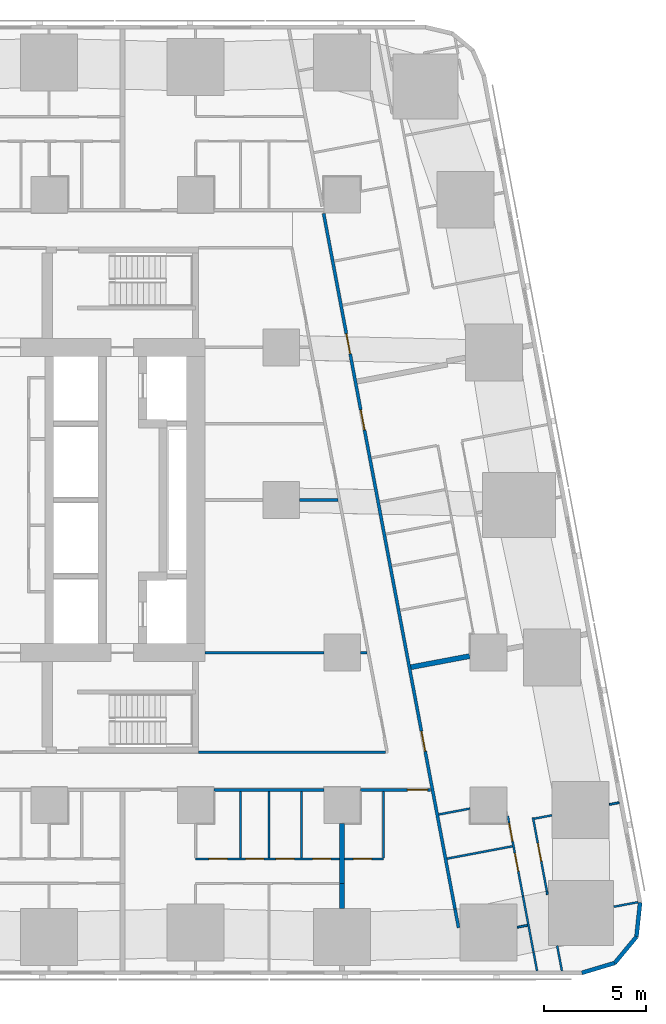
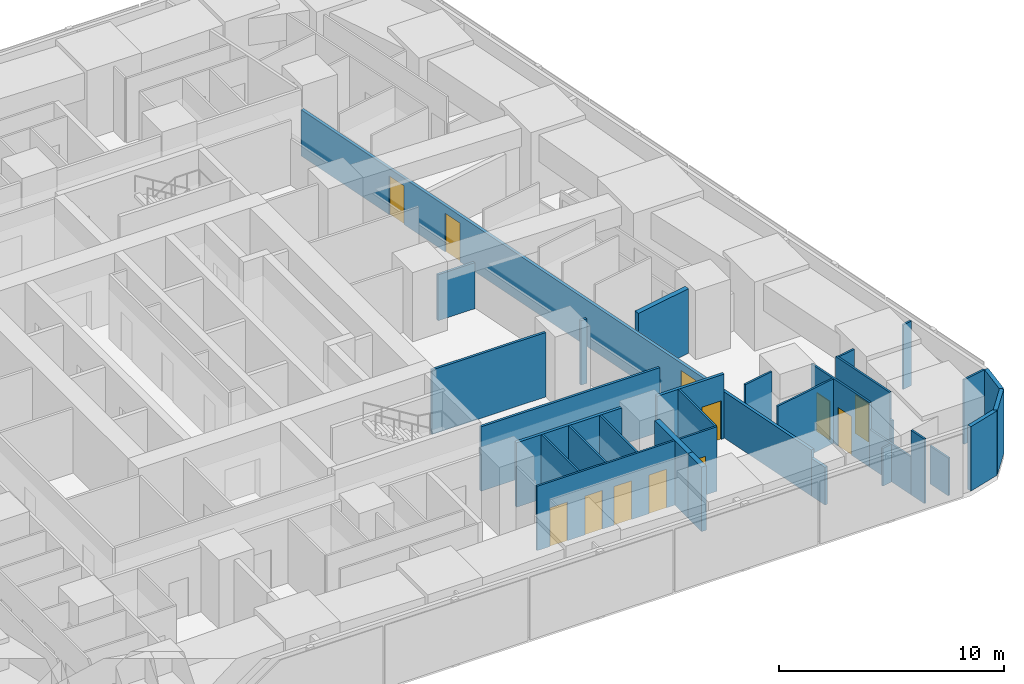
# One storey, part 9 of 18: 32 walls, 12 doors, 12 openings.
"""IFC4 building model written with IfcOpenShell, lengths in metres."""

from ifc_helpers import new_model, si_unit, direction, frame, frame_2d, origin, place, context, subcontext, project, spatial, rectangle, extrude, material, layer, layer_set, type_object, element, fill, save


model = new_model("IFC4")

# Units and contexts
model_context = context("Model", 3, precision=1e-05, world=origin(), true_north=direction((0.0, 1.0)))
body_context = subcontext(model_context, "Body", "Model", "MODEL_VIEW")
ifc_project = project(units=[si_unit("LENGTHUNIT", "METRE"), si_unit("AREAUNIT", "SQUARE_METRE"), si_unit("VOLUMEUNIT", "CUBIC_METRE"), si_unit("PLANEANGLEUNIT", "RADIAN"), si_unit("MASSUNIT", "GRAM", prefix="KILO")], contexts=[model_context])

# Site, building, storey
site_placement = place(None, origin())
site = spatial("IfcSite", under=ifc_project, at=site_placement, CompositionType="ELEMENT")
building_placement = place(site_placement, origin())
building = spatial("IfcBuilding", under=site, at=building_placement, Name="Sheger Commons Tower", CompositionType="ELEMENT")
storey_placement = place(building_placement, frame((0.0, 0.0, 31.25)))
storey = spatial("IfcBuildingStorey", under=building, at=storey_placement, Name="L07", CompositionType="ELEMENT", Elevation=31.25)

# Wall, opening, door
ifc_material_1 = material(Name="Hollow concrete block masonry, skimmed both sides", Category="masonry")
ifc_layer_1 = layer(ifc_material_1, 0.14990234375)
ifc_layer_set_1 = layer_set([ifc_layer_1], Name="CORRIDOR WALL 150")
wall_type_1 = type_object("IfcWallType", Name="CORRIDOR WALL 150", PredefinedType="SOLIDWALL", material=ifc_layer_set_1)
wall_1_placement = place(storey_placement, frame((40.35498046875, 8.25, 0.0), z_axis=(0.0, 0.0, 1.0), x_axis=(-1.0, 0.0, 0.0)))
wall_1 = element("IfcWall", 1, at=wall_1_placement, inside=storey, type_object=wall_type_1, Name="Corridor wall L07", PredefinedType="SOLIDWALL", context=body_context, shape_type="SweptSolid", body=[
    extrude(rectangle(XDim=3.4541015625, YDim=0.14990234375, at=frame_2d((1.72705078125, 0.0))), origin(), (0.0, 0.0, 1.0), 3.5),
])
opening_1_placement = place(wall_1_placement, frame((0.14990234375, 0.0, 0.0)))
opening_1 = element("IfcOpeningElement", 2, at=opening_1_placement, cuts=wall_1, Name="Opening D1", PredefinedType="OPENING", context=body_context, shape_type="SweptSolid", body=[
    extrude(rectangle(XDim=1.0, YDim=2.10009765625, at=frame_2d((0.5, 1.050048828125))), frame((0.0, 0.0849609375, 0.0), z_axis=(0.0, -1.0, 0.0), x_axis=(1.0, 0.0, 0.0)), (0.0, 0.0, 1.0), 0.169921875),
])
ifc_material_2 = material(Name="Steel door set, fire rated", Category="steel")
door_type_1 = type_object("IfcDoorType", Name="FLAT ENTRANCE DOOR 1000x2100", OperationType="NOTDEFINED", PredefinedType="DOOR", material=ifc_material_2)
door_1_placement = place(opening_1_placement, origin())
door_1 = element("IfcDoor", 3, at=door_1_placement, inside=storey, type_object=door_type_1, Name="Flat entrance door", OperationType="SINGLE_SWING_LEFT", OverallHeight=2.10009765625, OverallWidth=1.0, PredefinedType="DOOR", context=body_context, shape_type="SweptSolid", body=[
    extrude(rectangle(XDim=1.0, YDim=2.10009765625, at=frame_2d((0.5, 1.050048828125))), frame((0.0, 0.02490234375, 0.0), z_axis=(0.0, -1.0, 0.0), x_axis=(1.0, 0.0, 0.0)), (0.0, 0.0, 1.0), 0.050048828125),
])
fill(opening_1, door_1)

# Wall
wall_2_placement = place(storey_placement, frame((35.09912109375, 8.25, 0.0), z_axis=(0.0, 0.0, 1.0), x_axis=(-1.0, 0.0, 0.0)))
element("IfcWall", 4, at=wall_2_placement, inside=storey, type_object=wall_type_1, Name="Corridor wall L07", PredefinedType="SOLIDWALL", context=body_context, shape_type="SweptSolid", body=[
    extrude(rectangle(XDim=5.398193359375, YDim=0.14990234375, at=frame_2d((2.69921875, 0.0))), origin(), (0.0, 0.0, 1.0), 3.5),
])

# Wall, openings, doors
wall_3_placement = place(storey_placement, frame((35.093994140625, 36.5849609375, 0.0), z_axis=(0.0, 0.0, 1.0), x_axis=(0.185588860311, -0.982627485331, 0.0)))
wall_3 = element("IfcWall", 5, at=wall_3_placement, inside=storey, type_object=wall_type_1, Name="Corridor wall L07", PredefinedType="SOLIDWALL", context=body_context, shape_type="SweptSolid", body=[
    extrude(rectangle(XDim=34.79736328125, YDim=0.14990234375, at=frame_2d((17.398681640625, 0.0))), origin(), (0.0, 0.0, 1.0), 2.5),
])
opening_2_placement = place(wall_3_placement, frame((6.011962890625, 0.0, 0.0)))
opening_2 = element("IfcOpeningElement", 6, at=opening_2_placement, cuts=wall_3, Name="Opening D1", PredefinedType="OPENING", context=body_context, shape_type="SweptSolid", body=[
    extrude(rectangle(XDim=1.0, YDim=2.10009765625, at=frame_2d((0.5, 1.050048828125))), frame((0.0, 0.0849609375, 0.0), z_axis=(0.0, -1.0, 0.0), x_axis=(1.0, 0.0, 0.0)), (0.0, 0.0, 1.0), 0.169921875),
])
opening_3_placement = place(wall_3_placement, frame((9.827880859375, 0.0, 0.0)))
opening_3 = element("IfcOpeningElement", 7, at=opening_3_placement, cuts=wall_3, Name="Opening D1", PredefinedType="OPENING", context=body_context, shape_type="SweptSolid", body=[
    extrude(rectangle(XDim=1.0, YDim=2.10009765625, at=frame_2d((0.5, 1.050048828125))), frame((0.0, 0.0849609375, 0.0), z_axis=(0.0, -1.0, 0.0), x_axis=(1.0, 0.0, 0.0)), (0.0, 0.0, 1.0), 0.169921875),
])
opening_4_placement = place(wall_3_placement, frame((25.89990234375, 0.0, 0.0)))
opening_4 = element("IfcOpeningElement", 8, at=opening_4_placement, cuts=wall_3, Name="Opening D1", PredefinedType="OPENING", context=body_context, shape_type="SweptSolid", body=[
    extrude(rectangle(XDim=1.0, YDim=2.10009765625, at=frame_2d((0.5, 1.050048828125))), frame((0.0, 0.0849609375, 0.0), z_axis=(0.0, -1.0, 0.0), x_axis=(1.0, 0.0, 0.0)), (0.0, 0.0, 1.0), 0.169921875),
])
door_2_placement = place(opening_2_placement, origin())
door_2 = element("IfcDoor", 9, at=door_2_placement, inside=storey, type_object=door_type_1, Name="Flat entrance door", OperationType="SINGLE_SWING_RIGHT", OverallHeight=2.10009765625, OverallWidth=1.0, PredefinedType="DOOR", context=body_context, shape_type="SweptSolid", body=[
    extrude(rectangle(XDim=1.0, YDim=2.10009765625, at=frame_2d((0.5, 1.050048828125))), frame((0.0, 0.02490234375, 0.0), z_axis=(0.0, -1.0, 0.0), x_axis=(1.0, 0.0, 0.0)), (0.0, 0.0, 1.0), 0.050048828125),
])
fill(opening_2, door_2)
door_3_placement = place(opening_3_placement, origin())
door_3 = element("IfcDoor", 10, at=door_3_placement, inside=storey, type_object=door_type_1, Name="Flat entrance door", OperationType="SINGLE_SWING_LEFT", OverallHeight=2.10009765625, OverallWidth=1.0, PredefinedType="DOOR", context=body_context, shape_type="SweptSolid", body=[
    extrude(rectangle(XDim=1.0, YDim=2.10009765625, at=frame_2d((0.5, 1.050048828125))), frame((0.0, 0.02490234375, 0.0), z_axis=(0.0, -1.0, 0.0), x_axis=(1.0, 0.0, 0.0)), (0.0, 0.0, 1.0), 0.050048828125),
])
fill(opening_3, door_3)
door_4_placement = place(opening_4_placement, origin())
door_4 = element("IfcDoor", 11, at=door_4_placement, inside=storey, type_object=door_type_1, Name="Flat entrance door", OperationType="SINGLE_SWING_LEFT", OverallHeight=2.10009765625, OverallWidth=1.0, PredefinedType="DOOR", context=body_context, shape_type="SweptSolid", body=[
    extrude(rectangle(XDim=1.0, YDim=2.10009765625, at=frame_2d((0.5, 1.050048828125))), frame((0.0, 0.02490234375, 0.0), z_axis=(0.0, -1.0, 0.0), x_axis=(1.0, 0.0, 0.0)), (0.0, 0.0, 1.0), 0.050048828125),
])
fill(opening_4, door_4)

# Walls
wall_4_placement = place(storey_placement, frame((41.552001953125, 2.39208984375, 0.0), z_axis=(0.0, 0.0, 1.0), x_axis=(0.185687800081, -0.982608793417, 0.0)))
element("IfcWall", 12, at=wall_4_placement, inside=storey, type_object=wall_type_1, Name="Corridor wall L07", PredefinedType="SOLIDWALL", context=body_context, shape_type="SweptSolid", body=[
    extrude(rectangle(XDim=0.9375, YDim=0.14990234375, at=frame_2d((0.46875, 0.0))), origin(), (0.0, 0.0, 1.0), 2.050048828125),
])
ifc_material_3 = material(Name="Dense concrete block masonry, plastered both sides (separating wall between flats)", Category="masonry")
ifc_layer_2 = layer(ifc_material_3, 0.25)
ifc_layer_set_2 = layer_set([ifc_layer_2], Name="DEMISING WALL 250")
wall_type_2 = type_object("IfcWallType", Name="DEMISING WALL 250", PredefinedType="SOLIDWALL", material=ifc_layer_set_2)
wall_5_placement = place(storey_placement, frame((36.0, 2.426025390625, 0.0), z_axis=(0.0, 0.0, 1.0), x_axis=(0.0, 1.0, 0.0)))
element("IfcWall", 13, at=wall_5_placement, inside=storey, type_object=wall_type_2, Name="Demising wall L07", PredefinedType="SOLIDWALL", context=body_context, shape_type="SweptSolid", body=[
    extrude(rectangle(XDim=1.223876953125, YDim=0.25, at=frame_2d((0.61181640625, 0.0))), origin(), (0.0, 0.0, 1.0), 3.5),
])
wall_6_placement = place(storey_placement, frame((36.0, 3.64990234375, 0.0), z_axis=(0.0, 0.0, 1.0), x_axis=(0.0, 1.0, 0.0)))
element("IfcWall", 14, at=wall_6_placement, inside=storey, type_object=wall_type_2, Name="Demising wall L07", PredefinedType="SOLIDWALL", context=body_context, shape_type="SweptSolid", body=[
    extrude(rectangle(XDim=2.94921875, YDim=0.25, at=frame_2d((1.474609375, 0.0))), origin(), (0.0, 0.0, 1.0), 3.5),
])
wall_7_placement = place(storey_placement, frame((42.27587890625, 14.824951171875, 0.0), z_axis=(0.0, 0.0, 1.0), x_axis=(-0.982656521819, -0.185435056358, 0.0)))
element("IfcWall", 15, at=wall_7_placement, inside=storey, type_object=wall_type_2, Name="Demising wall L07", PredefinedType="SOLIDWALL", context=body_context, shape_type="SweptSolid", body=[
    extrude(rectangle(XDim=2.94384765625, YDim=0.25, at=frame_2d((1.471923828125, 0.0))), origin(), (0.0, 0.0, 1.0), 3.5),
])
ifc_material_4 = material(Name="Rendered concrete block masonry, dark grey", Category="masonry")
ifc_layer_3 = layer(ifc_material_4, 0.199951171875)
ifc_layer_set_3 = layer_set([ifc_layer_3], Name="FACADE WALL 200")
wall_type_3 = type_object("IfcWallType", Name="FACADE WALL 200", PredefinedType="SOLIDWALL", material=ifc_layer_set_3)
wall_8_placement = place(storey_placement, frame((47.791015625, -0.75, 0.0), z_axis=(0.0, 0.0, 1.0), x_axis=(0.957455232626, 0.288581838509, 0.0)))
element("IfcWall", 16, at=wall_8_placement, inside=storey, type_object=wall_type_3, Name="Facade wall L07", PredefinedType="SOLIDWALL", context=body_context, shape_type="SweptSolid", body=[
    extrude(rectangle(XDim=1.687744140625, YDim=0.199951171875, at=frame_2d((0.84375, 0.0))), origin(), (0.0, 0.0, 1.0), 3.5),
])
wall_9_placement = place(storey_placement, frame((49.406982421875, -0.262939453125, 0.0), z_axis=(0.0, 0.0, 1.0), x_axis=(0.638042593423, 0.770001070764, 0.0)))
element("IfcWall", 17, at=wall_9_placement, inside=storey, type_object=wall_type_3, Name="Facade wall L07", PredefinedType="SOLIDWALL", context=body_context, shape_type="SweptSolid", body=[
    extrude(rectangle(XDim=1.672607421875, YDim=0.199951171875, at=frame_2d((0.83642578125, 0.0))), origin(), (0.0, 0.0, 1.0), 3.5),
])
wall_10_placement = place(storey_placement, frame((50.47412109375, 1.02490234375, 0.0), z_axis=(0.0, 0.0, 1.0), x_axis=(0.106047815515, 0.994361031429, 0.0)))
element("IfcWall", 18, at=wall_10_placement, inside=storey, type_object=wall_type_3, Name="Facade wall L07", PredefinedType="SOLIDWALL", context=body_context, shape_type="SweptSolid", body=[
    extrude(rectangle(XDim=1.6875, YDim=0.199951171875, at=frame_2d((0.84375, 0.0))), origin(), (0.0, 0.0, 1.0), 3.5),
])

# Wall, openings, doors
ifc_material_5 = material(Name="Gypsum board on steel studs", Category="steel")
ifc_layer_4 = layer(ifc_material_5, 0.10009765625)
ifc_layer_set_4 = layer_set([ifc_layer_4], Name="PARTITION 100")
wall_type_4 = type_object("IfcWallType", Name="PARTITION 100", PredefinedType="PARTITIONING", material=ifc_layer_set_4)
wall_11_placement = place(storey_placement, frame((35.875, 4.85009765625, 0.0), z_axis=(0.0, 0.0, 1.0), x_axis=(-1.0, 0.0, 0.0)))
wall_11 = element("IfcWall", 19, at=wall_11_placement, inside=storey, type_object=wall_type_4, Name="Partition L07", PredefinedType="PARTITIONING", context=body_context, shape_type="SweptSolid", body=[
    extrude(rectangle(XDim=7.074951171875, YDim=0.10009765625, at=frame_2d((3.53759765625, 0.0))), origin(), (0.0, 0.0, 1.0), 3.5),
])
opening_5_placement = place(wall_11_placement, frame((5.52001953125, 0.0, 0.0)))
opening_5 = element("IfcOpeningElement", 20, at=opening_5_placement, cuts=wall_11, Name="Opening D2", PredefinedType="OPENING", context=body_context, shape_type="SweptSolid", body=[
    extrude(rectangle(XDim=0.89990234375, YDim=2.10009765625, at=frame_2d((0.449951171875, 1.050048828125))), frame((0.0, 0.06005859375, 0.0), z_axis=(0.0, -1.0, 0.0), x_axis=(1.0, 0.0, 0.0)), (0.0, 0.0, 1.0), 0.1201171875),
])
opening_6_placement = place(wall_11_placement, frame((2.22509765625, 0.0, 0.0)))
opening_6 = element("IfcOpeningElement", 21, at=opening_6_placement, cuts=wall_11, Name="Opening D2", PredefinedType="OPENING", context=body_context, shape_type="SweptSolid", body=[
    extrude(rectangle(XDim=0.89990234375, YDim=2.10009765625, at=frame_2d((0.449951171875, 1.050048828125))), frame((0.0, 0.06005859375, 0.0), z_axis=(0.0, -1.0, 0.0), x_axis=(1.0, 0.0, 0.0)), (0.0, 0.0, 1.0), 0.1201171875),
])
opening_7_placement = place(wall_11_placement, frame((3.719970703125, 0.0, 0.0)))
opening_7 = element("IfcOpeningElement", 22, at=opening_7_placement, cuts=wall_11, Name="Opening D2", PredefinedType="OPENING", context=body_context, shape_type="SweptSolid", body=[
    extrude(rectangle(XDim=0.89990234375, YDim=2.10009765625, at=frame_2d((0.449951171875, 1.050048828125))), frame((0.0, 0.06005859375, 0.0), z_axis=(0.0, -1.0, 0.0), x_axis=(1.0, 0.0, 0.0)), (0.0, 0.0, 1.0), 0.1201171875),
])
opening_8_placement = place(wall_11_placement, frame((0.425048828125, 0.0, 0.0)))
opening_8 = element("IfcOpeningElement", 23, at=opening_8_placement, cuts=wall_11, Name="Opening D2", PredefinedType="OPENING", context=body_context, shape_type="SweptSolid", body=[
    extrude(rectangle(XDim=0.89990234375, YDim=2.10009765625, at=frame_2d((0.449951171875, 1.050048828125))), frame((0.0, 0.06005859375, 0.0), z_axis=(0.0, -1.0, 0.0), x_axis=(1.0, 0.0, 0.0)), (0.0, 0.0, 1.0), 0.1201171875),
])
ifc_material_6 = material(Name="Timber door set", Category="wood")
door_type_2 = type_object("IfcDoorType", Name="INTERNAL DOOR 900x2100", OperationType="NOTDEFINED", PredefinedType="DOOR", material=ifc_material_6)
door_5_placement = place(opening_5_placement, origin())
door_5 = element("IfcDoor", 24, at=door_5_placement, inside=storey, type_object=door_type_2, Name="Bathroom door", OperationType="SINGLE_SWING_LEFT", OverallHeight=2.10009765625, OverallWidth=0.89990234375, PredefinedType="DOOR", context=body_context, shape_type="SweptSolid", body=[
    extrude(rectangle(XDim=0.89990234375, YDim=2.10009765625, at=frame_2d((0.449951171875, 1.050048828125))), frame((0.0, 0.02490234375, 0.0), z_axis=(0.0, -1.0, 0.0), x_axis=(1.0, 0.0, 0.0)), (0.0, 0.0, 1.0), 0.050048828125),
])
fill(opening_5, door_5)
door_6_placement = place(opening_6_placement, origin())
door_6 = element("IfcDoor", 25, at=door_6_placement, inside=storey, type_object=door_type_2, Name="Shower room door", OperationType="SINGLE_SWING_RIGHT", OverallHeight=2.10009765625, OverallWidth=0.89990234375, PredefinedType="DOOR", context=body_context, shape_type="SweptSolid", body=[
    extrude(rectangle(XDim=0.89990234375, YDim=2.10009765625, at=frame_2d((0.449951171875, 1.050048828125))), frame((0.0, 0.02490234375, 0.0), z_axis=(0.0, -1.0, 0.0), x_axis=(1.0, 0.0, 0.0)), (0.0, 0.0, 1.0), 0.050048828125),
])
fill(opening_6, door_6)
door_7_placement = place(opening_7_placement, origin())
door_7 = element("IfcDoor", 26, at=door_7_placement, inside=storey, type_object=door_type_2, Name="Store door", OperationType="SINGLE_SWING_RIGHT", OverallHeight=2.10009765625, OverallWidth=0.89990234375, PredefinedType="DOOR", context=body_context, shape_type="SweptSolid", body=[
    extrude(rectangle(XDim=0.89990234375, YDim=2.10009765625, at=frame_2d((0.449951171875, 1.050048828125))), frame((0.0, 0.02490234375, 0.0), z_axis=(0.0, -1.0, 0.0), x_axis=(1.0, 0.0, 0.0)), (0.0, 0.0, 1.0), 0.050048828125),
])
fill(opening_7, door_7)
door_8_placement = place(opening_8_placement, origin())
door_8 = element("IfcDoor", 27, at=door_8_placement, inside=storey, type_object=door_type_2, Name="Store door", OperationType="SINGLE_SWING_RIGHT", OverallHeight=2.10009765625, OverallWidth=0.89990234375, PredefinedType="DOOR", context=body_context, shape_type="SweptSolid", body=[
    extrude(rectangle(XDim=0.89990234375, YDim=2.10009765625, at=frame_2d((0.449951171875, 1.050048828125))), frame((0.0, 0.02490234375, 0.0), z_axis=(0.0, -1.0, 0.0), x_axis=(1.0, 0.0, 0.0)), (0.0, 0.0, 1.0), 0.050048828125),
])
fill(opening_8, door_8)

# Walls
for number, where, z_axis, x_axis, name in (
    (28, (32.39990234375, 4.89990234375, 0.0), (0.0, 0.0, 1.0), (0.0, 1.0, 0.0), "Partition L07"),
    (29, (31.010009765625, 4.89990234375, 0.0), (0.0, 0.0, 1.0), (0.0, 1.0, 0.0), "Partition L07"),
    (30, (34.0, 4.89990234375, 0.0), (0.0, 0.0, 1.0), (0.0, 1.0, 0.0), "Partition L07"),
):
    element("IfcWall", number, at=place(storey_placement, frame(where, z_axis=z_axis, x_axis=x_axis)), inside=storey, type_object=wall_type_4, Name=name, PredefinedType="PARTITIONING", context=body_context, shape_type="SweptSolid", body=[
        extrude(rectangle(XDim=3.275146484375, YDim=0.10009765625, at=frame_2d((1.6376953125, 0.0))), origin(), (0.0, 0.0, 1.0), 3.5),
    ])

# Wall, opening, door
wall_12_placement = place(storey_placement, frame((38.029052734375, 4.85009765625, 0.0), z_axis=(0.0, 0.0, 1.0), x_axis=(-1.0, 0.0, 0.0)))
wall_12 = element("IfcWall", 31, at=wall_12_placement, inside=storey, type_object=wall_type_4, Name="Partition L07", PredefinedType="PARTITIONING", context=body_context, shape_type="SweptSolid", body=[
    extrude(rectangle(XDim=1.904052734375, YDim=0.10009765625, at=frame_2d((0.9521484375, 0.0))), origin(), (0.0, 0.0, 1.0), 3.5),
])
opening_9_placement = place(wall_12_placement, frame((0.5791015625, 0.0, 0.0)))
opening_9 = element("IfcOpeningElement", 32, at=opening_9_placement, cuts=wall_12, Name="Opening D2", PredefinedType="OPENING", context=body_context, shape_type="SweptSolid", body=[
    extrude(rectangle(XDim=0.89990234375, YDim=2.10009765625, at=frame_2d((0.449951171875, 1.050048828125))), frame((0.0, 0.06005859375, 0.0), z_axis=(0.0, -1.0, 0.0), x_axis=(1.0, 0.0, 0.0)), (0.0, 0.0, 1.0), 0.1201171875),
])
door_9_placement = place(opening_9_placement, origin())
door_9 = element("IfcDoor", 33, at=door_9_placement, inside=storey, type_object=door_type_2, Name="Shower room door", OperationType="SINGLE_SWING_LEFT", OverallHeight=2.10009765625, OverallWidth=0.89990234375, PredefinedType="DOOR", context=body_context, shape_type="SweptSolid", body=[
    extrude(rectangle(XDim=0.89990234375, YDim=2.10009765625, at=frame_2d((0.449951171875, 1.050048828125))), frame((0.0, 0.02490234375, 0.0), z_axis=(0.0, -1.0, 0.0), x_axis=(1.0, 0.0, 0.0)), (0.0, 0.0, 1.0), 0.050048828125),
])
fill(opening_9, door_9)

# Wall
wall_13_placement = place(storey_placement, frame((38.029052734375, 4.89990234375, 0.0), z_axis=(0.0, 0.0, 1.0), x_axis=(0.0, 1.0, 0.0)))
element("IfcWall", 34, at=wall_13_placement, inside=storey, type_object=wall_type_4, Name="Partition L07", PredefinedType="PARTITIONING", context=body_context, shape_type="SweptSolid", body=[
    extrude(rectangle(XDim=3.275146484375, YDim=0.10009765625, at=frame_2d((1.6376953125, 0.0))), origin(), (0.0, 0.0, 1.0), 3.5),
])

# Wall, opening, door
wall_14_placement = place(storey_placement, frame((45.383056640625, 6.89404296875, 0.0), z_axis=(0.0, 0.0, 1.0), x_axis=(0.185791461635, -0.982589198385, 0.0)))
wall_14 = element("IfcWall", 35, at=wall_14_placement, inside=storey, type_object=wall_type_4, Name="Partition L07", PredefinedType="PARTITIONING", context=body_context, shape_type="SweptSolid", body=[
    extrude(rectangle(XDim=3.687255859375, YDim=0.10009765625, at=frame_2d((1.84375, 0.0))), origin(), (0.0, 0.0, 1.0), 3.5),
])
opening_10_placement = place(wall_14_placement, frame((1.300048828125, 0.0, 0.0)))
opening_10 = element("IfcOpeningElement", 36, at=opening_10_placement, cuts=wall_14, Name="Opening D2", PredefinedType="OPENING", context=body_context, shape_type="SweptSolid", body=[
    extrude(rectangle(XDim=0.89990234375, YDim=2.10009765625, at=frame_2d((0.449951171875, 1.050048828125))), frame((0.0, 0.06005859375, 0.0), z_axis=(0.0, -1.0, 0.0), x_axis=(1.0, 0.0, 0.0)), (0.0, 0.0, 1.0), 0.1201171875),
])
door_10_placement = place(opening_10_placement, origin())
door_10 = element("IfcDoor", 37, at=door_10_placement, inside=storey, type_object=door_type_2, Name="Main bedroom door", OperationType="SINGLE_SWING_LEFT", OverallHeight=2.10009765625, OverallWidth=0.89990234375, PredefinedType="DOOR", context=body_context, shape_type="SweptSolid", body=[
    extrude(rectangle(XDim=0.89990234375, YDim=2.10009765625, at=frame_2d((0.449951171875, 1.050048828125))), frame((0.0, 0.02490234375, 0.0), z_axis=(0.0, -1.0, 0.0), x_axis=(1.0, 0.0, 0.0)), (0.0, 0.0, 1.0), 0.050048828125),
])
fill(opening_10, door_10)

# Walls
wall_15_placement = place(storey_placement, frame((46.068115234375, 3.27099609375, 0.0), z_axis=(0.0, 0.0, 1.0), x_axis=(0.183590240121, -0.98300286049, 0.0)))
element("IfcWall", 38, at=wall_15_placement, inside=storey, type_object=wall_type_4, Name="Partition L07", PredefinedType="PARTITIONING", context=body_context, shape_type="SweptSolid", body=[
    extrude(rectangle(XDim=0.1689453125, YDim=0.10009765625, at=frame_2d((0.08447265625, 0.0))), origin(), (0.0, 0.0, 1.0), 2.050048828125),
])
wall_16_placement = place(storey_placement, frame((46.573974609375, 0.5869140625, 0.0), z_axis=(0.0, 0.0, 1.0), x_axis=(0.185997942803, -0.98255013372, 0.0)))
element("IfcWall", 39, at=wall_16_placement, inside=storey, type_object=wall_type_4, Name="Partition L07", PredefinedType="PARTITIONING", context=body_context, shape_type="SweptSolid", body=[
    extrude(rectangle(XDim=1.2587890625, YDim=0.10009765625, at=frame_2d((0.62939453125, 0.0))), origin(), (0.0, 0.0, 1.0), 2.050048828125),
])

# Wall, openings, doors
wall_17_placement = place(storey_placement, frame((44.14892578125, 6.9599609375, 0.0), z_axis=(0.0, 0.0, 1.0), x_axis=(0.185824941804, -0.982582867245, 0.0)))
wall_17 = element("IfcWall", 40, at=wall_17_placement, inside=storey, type_object=wall_type_4, Name="Partition L07", PredefinedType="PARTITIONING", context=body_context, shape_type="SweptSolid", body=[
    extrude(rectangle(XDim=4.009765625, YDim=0.10009765625, at=frame_2d((2.0048828125, 0.0))), origin(), (0.0, 0.0, 1.0), 3.5),
])
opening_11_placement = place(wall_17_placement, frame((0.35009765625, 0.0, 0.0)))
opening_11 = element("IfcOpeningElement", 41, at=opening_11_placement, cuts=wall_17, Name="Opening D2", PredefinedType="OPENING", context=body_context, shape_type="SweptSolid", body=[
    extrude(rectangle(XDim=0.89990234375, YDim=2.10009765625, at=frame_2d((0.449951171875, 1.050048828125))), frame((0.0, 0.06005859375, 0.0), z_axis=(0.0, -1.0, 0.0), x_axis=(1.0, 0.0, 0.0)), (0.0, 0.0, 1.0), 0.1201171875),
])
opening_12_placement = place(wall_17_placement, frame((1.85595703125, 0.0, 0.0)))
opening_12 = element("IfcOpeningElement", 42, at=opening_12_placement, cuts=wall_17, Name="Opening D2", PredefinedType="OPENING", context=body_context, shape_type="SweptSolid", body=[
    extrude(rectangle(XDim=0.89990234375, YDim=2.10009765625, at=frame_2d((0.449951171875, 1.050048828125))), frame((0.0, 0.06005859375, 0.0), z_axis=(0.0, -1.0, 0.0), x_axis=(1.0, 0.0, 0.0)), (0.0, 0.0, 1.0), 0.1201171875),
])
door_11_placement = place(opening_11_placement, origin())
door_11 = element("IfcDoor", 43, at=door_11_placement, inside=storey, type_object=door_type_2, Name="Bathroom door", OperationType="SINGLE_SWING_RIGHT", OverallHeight=2.10009765625, OverallWidth=0.89990234375, PredefinedType="DOOR", context=body_context, shape_type="SweptSolid", body=[
    extrude(rectangle(XDim=0.89990234375, YDim=2.10009765625, at=frame_2d((0.449951171875, 1.050048828125))), frame((0.0, 0.02490234375, 0.0), z_axis=(0.0, -1.0, 0.0), x_axis=(1.0, 0.0, 0.0)), (0.0, 0.0, 1.0), 0.050048828125),
])
fill(opening_11, door_11)
door_12_placement = place(opening_12_placement, origin())
door_12 = element("IfcDoor", 44, at=door_12_placement, inside=storey, type_object=door_type_2, Name="Store door", OperationType="SINGLE_SWING_RIGHT", OverallHeight=2.10009765625, OverallWidth=0.89990234375, PredefinedType="DOOR", context=body_context, shape_type="SweptSolid", body=[
    extrude(rectangle(XDim=0.89990234375, YDim=2.10009765625, at=frame_2d((0.449951171875, 1.050048828125))), frame((0.0, 0.02490234375, 0.0), z_axis=(0.0, -1.0, 0.0), x_axis=(1.0, 0.0, 0.0)), (0.0, 0.0, 1.0), 0.050048828125),
])
fill(opening_12, door_12)

# Walls
wall_18_placement = place(storey_placement, frame((44.89404296875, 3.02001953125, 0.0), z_axis=(0.0, 0.0, 1.0), x_axis=(0.185471317237, -0.982649678412, 0.0)))
element("IfcWall", 45, at=wall_18_placement, inside=storey, type_object=wall_type_4, Name="Partition L07", PredefinedType="PARTITIONING", context=body_context, shape_type="SweptSolid", body=[
    extrude(rectangle(XDim=2.8037109375, YDim=0.10009765625, at=frame_2d((1.40185546875, 0.0))), origin(), (0.0, 0.0, 1.0), 2.050048828125),
])
wall_19_placement = place(storey_placement, frame((45.4140625, 0.264892578125, 0.0), z_axis=(0.0, 0.0, 1.0), x_axis=(0.185665855771, -0.982612940074, 0.0)))
element("IfcWall", 46, at=wall_19_placement, inside=storey, type_object=wall_type_4, Name="Partition L07", PredefinedType="PARTITIONING", context=body_context, shape_type="SweptSolid", body=[
    extrude(rectangle(XDim=0.930908203125, YDim=0.10009765625, at=frame_2d((0.46533203125, 0.0))), origin(), (0.0, 0.0, 1.0), 3.5),
])
wall_20_placement = place(storey_placement, frame((49.6220703125, 7.6201171875, 0.0), z_axis=(0.0, 0.0, 1.0), x_axis=(-0.982629142467, -0.185580086147, 0.0)))
element("IfcWall", 47, at=wall_20_placement, inside=storey, type_object=wall_type_4, Name="Partition L07", PredefinedType="PARTITIONING", context=body_context, shape_type="SweptSolid", body=[
    extrude(rectangle(XDim=0.49072265625, YDim=0.10009765625, at=frame_2d((0.245361328125, 0.0))), origin(), (0.0, 0.0, 1.0), 3.5),
])
wall_21_placement = place(storey_placement, frame((46.320068359375, 6.9970703125, 0.0), z_axis=(0.0, 0.0, 1.0), x_axis=(-0.982635224332, -0.185547880349, 0.0)))
element("IfcWall", 48, at=wall_21_placement, inside=storey, type_object=wall_type_4, Name="Partition L07", PredefinedType="PARTITIONING", context=body_context, shape_type="SweptSolid", body=[
    extrude(rectangle(XDim=0.889404296875, YDim=0.10009765625, at=frame_2d((0.44482421875, 0.0))), origin(), (0.0, 0.0, 1.0), 3.5),
])
wall_22_placement = place(storey_placement, frame((50.547119140625, 2.72607421875, 0.0), z_axis=(0.0, 0.0, 1.0), x_axis=(-0.982553313503, -0.185981144539, 0.0)))
element("IfcWall", 49, at=wall_22_placement, inside=storey, type_object=wall_type_4, Name="Partition L07", PredefinedType="PARTITIONING", context=body_context, shape_type="SweptSolid", body=[
    extrude(rectangle(XDim=1.210205078125, YDim=0.10009765625, at=frame_2d((0.60498046875, 0.0))), origin(), (0.0, 0.0, 1.0), 3.5),
])
wall_23_placement = place(storey_placement, frame((42.2900390625, 7.3291015625, 0.0), z_axis=(0.0, 0.0, 1.0), x_axis=(-0.98258870752, -0.18579405764, 0.0)))
element("IfcWall", 50, at=wall_23_placement, inside=storey, type_object=wall_type_4, Name="Partition L07", PredefinedType="PARTITIONING", context=body_context, shape_type="SweptSolid", body=[
    extrude(rectangle(XDim=1.56640625, YDim=0.10009765625, at=frame_2d((0.783203125, 0.0))), origin(), (0.0, 0.0, 1.0), 3.5),
])
wall_24_placement = place(storey_placement, frame((45.114013671875, 1.5869140625, 0.0), z_axis=(0.0, 0.0, 1.0), x_axis=(-0.982699277433, -0.185208342501, 0.0)))
element("IfcWall", 51, at=wall_24_placement, inside=storey, type_object=wall_type_4, Name="Partition L07", PredefinedType="PARTITIONING", context=body_context, shape_type="SweptSolid", body=[
    extrude(rectangle(XDim=0.5126953125, YDim=0.10009765625, at=frame_2d((0.25634765625, 0.0))), origin(), (0.0, 0.0, 1.0), 2.050048828125),
])
wall_25_placement = place(storey_placement, frame((44.37890625, 5.47412109375, 0.0), z_axis=(0.0, 0.0, 1.0), x_axis=(-0.982607026909, -0.185697147715, 0.0)))
element("IfcWall", 52, at=wall_25_placement, inside=storey, type_object=wall_type_4, Name="Partition L07", PredefinedType="PARTITIONING", context=body_context, shape_type="SweptSolid", body=[
    extrude(rectangle(XDim=3.27490234375, YDim=0.10009765625, at=frame_2d((1.637451171875, 0.0))), origin(), (0.0, 0.0, 1.0), 3.5),
])
ifc_material_7 = material(Name="Gypsum board on steel studs, two layers each side, fire rated", Category="steel")
ifc_layer_5 = layer(ifc_material_7, 0.125)
ifc_layer_set_5 = layer_set([ifc_layer_5], Name="SERVICE WALL 125")
wall_type_5 = type_object("IfcWallType", Name="SERVICE WALL 125", PredefinedType="PARTITIONING", material=ifc_layer_set_5)
wall_26_placement = place(storey_placement, frame((28.949951171875, 10.10009765625, 0.0), z_axis=(0.0, 0.0, 1.0), x_axis=(1.0, 0.0, 0.0)))
element("IfcWall", 53, at=wall_26_placement, inside=storey, type_object=wall_type_5, Name="Service room wall L07", PredefinedType="PARTITIONING", context=body_context, shape_type="SweptSolid", body=[
    extrude(rectangle(XDim=9.18798828125, YDim=0.125, at=frame_2d((4.593994140625, 0.0))), origin(), (0.0, 0.0, 1.0), 3.5),
])
wall_27_placement = place(storey_placement, frame((29.25, 15.0, 0.0), z_axis=(0.0, 0.0, 1.0), x_axis=(1.0, 0.0, 0.0)))
element("IfcWall", 54, at=wall_27_placement, inside=storey, type_object=wall_type_5, Name="Service room wall L07", PredefinedType="PARTITIONING", context=body_context, shape_type="SweptSolid", body=[
    extrude(rectangle(XDim=5.84912109375, YDim=0.125, at=frame_2d((2.924560546875, 0.0))), origin(), (0.0, 0.0, 1.0), 3.5),
])
wall_28_placement = place(storey_placement, frame((36.90087890625, 15.0, 0.0), z_axis=(0.0, 0.0, 1.0), x_axis=(1.0, 0.0, 0.0)))
element("IfcWall", 55, at=wall_28_placement, inside=storey, type_object=wall_type_5, Name="Service room wall L07", PredefinedType="PARTITIONING", context=body_context, shape_type="SweptSolid", body=[
    extrude(rectangle(XDim=0.31201171875, YDim=0.125, at=frame_2d((0.156005859375, 0.0))), origin(), (0.0, 0.0, 1.0), 3.5),
])
wall_29_placement = place(storey_placement, frame((33.90087890625, 22.5, 0.0), z_axis=(0.0, 0.0, 1.0), x_axis=(1.0, 0.0, 0.0)))
element("IfcWall", 56, at=wall_29_placement, inside=storey, type_object=wall_type_5, Name="Service room wall L07", PredefinedType="PARTITIONING", context=body_context, shape_type="SweptSolid", body=[
    extrude(rectangle(XDim=1.89501953125, YDim=0.125, at=frame_2d((0.947509765625, 0.0))), origin(), (0.0, 0.0, 1.0), 2.5),
])

save(model, "model.ifc")
